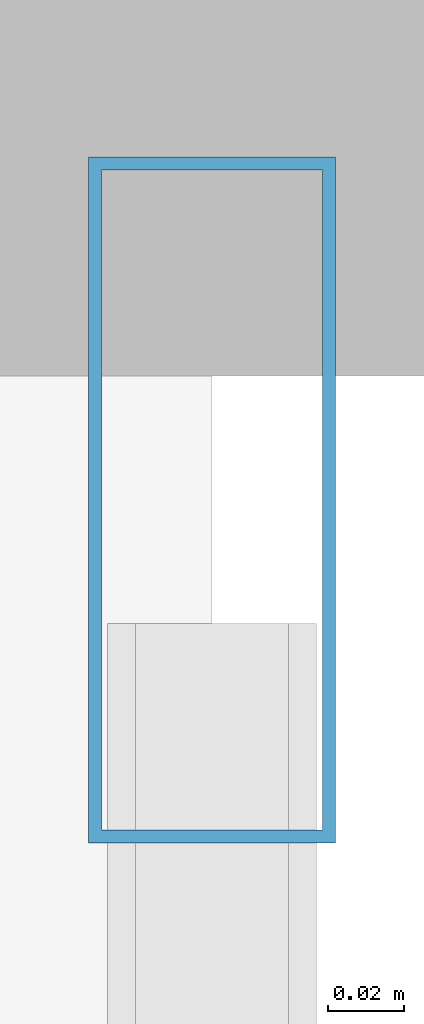
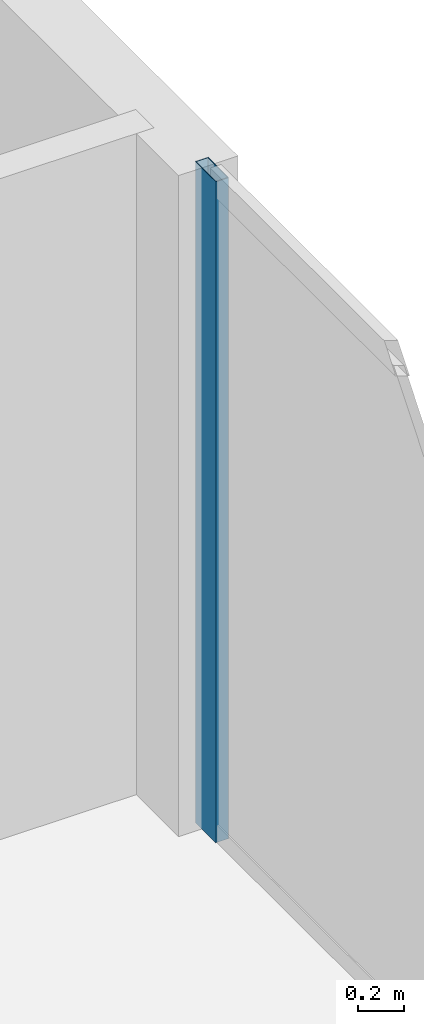
# One storey, part 21 of 32: 1 member, 1 element without a shape of its own.
"""IFC4 building model written with IfcOpenShell, lengths in metres."""

from ifc_helpers import new_model, si_unit, direction, frame, origin, origin_2d, place, context, subcontext, project, spatial, hollow_rectangle, extrude, material, layer, layer_set, material_profile, profile_set, type_object, element, aggregate, save


model = new_model("IFC4")

# Units and contexts
model_context = context("Model", 3, precision=1e-05, world=origin(), true_north=direction((0.0, 1.0)))
body_context = subcontext(model_context, "Body", "Model", "MODEL_VIEW")
ifc_project = project(units=[si_unit("LENGTHUNIT", "METRE"), si_unit("AREAUNIT", "SQUARE_METRE"), si_unit("VOLUMEUNIT", "CUBIC_METRE"), si_unit("PLANEANGLEUNIT", "RADIAN"), si_unit("MASSUNIT", "GRAM", prefix="KILO")], contexts=[model_context])

# Site, building, storey
site_placement = place(None, origin())
site = spatial("IfcSite", under=ifc_project, at=site_placement, CompositionType="ELEMENT")
building_placement = place(site_placement, origin())
building = spatial("IfcBuilding", under=site, at=building_placement, Name="Zuhayl Quay Hotel", CompositionType="ELEMENT")
storey_placement = place(building_placement, frame((0.0, 0.0, 192.39990234375)))
storey = spatial("IfcBuildingStorey", under=building, at=storey_placement, Name="L48", CompositionType="ELEMENT", Elevation=192.39990234375)

# Curtain wall, member
ifc_material_1 = material(Name="Anodised Aluminium 6063-T6", Category="aluminium")
ifc_layer = layer(ifc_material_1, 0.175048828125, Name="Anodised Aluminium 6063-T6", Category="aluminium")
ifc_layer_set = layer_set([ifc_layer], Name="Anodised Aluminium 6063-T6")
curtain_wall_type = type_object("IfcCurtainWallType", Name="CW_SYS_Z3", PredefinedType="USERDEFINED", material=ifc_layer_set)
curtain_wall_placement = place(storey_placement, origin())
curtain_wall = element("IfcCurtainWall", 1, at=curtain_wall_placement, inside=storey, type_object=curtain_wall_type, Name="L48 Curtain Wall ENV_L48_E11_CW1", ObjectType="UNITISED CURTAIN WALL", PredefinedType="USERDEFINED")
ifc_material_2 = material(Name="Black-anodised aluminium 6063-T6", Category="aluminium")
ifc_material_profile = material_profile(ifc_material_2, hollow_rectangle(XDim=0.06494140625, YDim=0.179931640625, WallThickness=0.00341796875, at=origin_2d()), Name="ALU180X65")
ifc_profile_set = profile_set([ifc_material_profile], Name="Black-anodised aluminium 6063-T6")
member_type = type_object("IfcMemberType", Name="MB_CW_MUL_180", PredefinedType="MULLION", material=ifc_profile_set)
member_placement = place(storey_placement, frame((22.10009765625, 26.367431640625, 0.0), z_axis=(0.0, 0.0, 1.0), x_axis=(1.0, 0.0, 0.0)))
member = element("IfcMember", 2, at=member_placement, type_object=member_type, Name="CW-Z3 mullion 1", PredefinedType="MULLION", context=body_context, shape_type="SweptSolid", body=[
    extrude(hollow_rectangle(XDim=0.06494140625, YDim=0.179931640625, WallThickness=0.00341796875, at=origin_2d()), origin(), (0.0, 0.0, 1.0), 3.530029296875),
])
aggregate(curtain_wall, [member])

save(model, "model.ifc")
